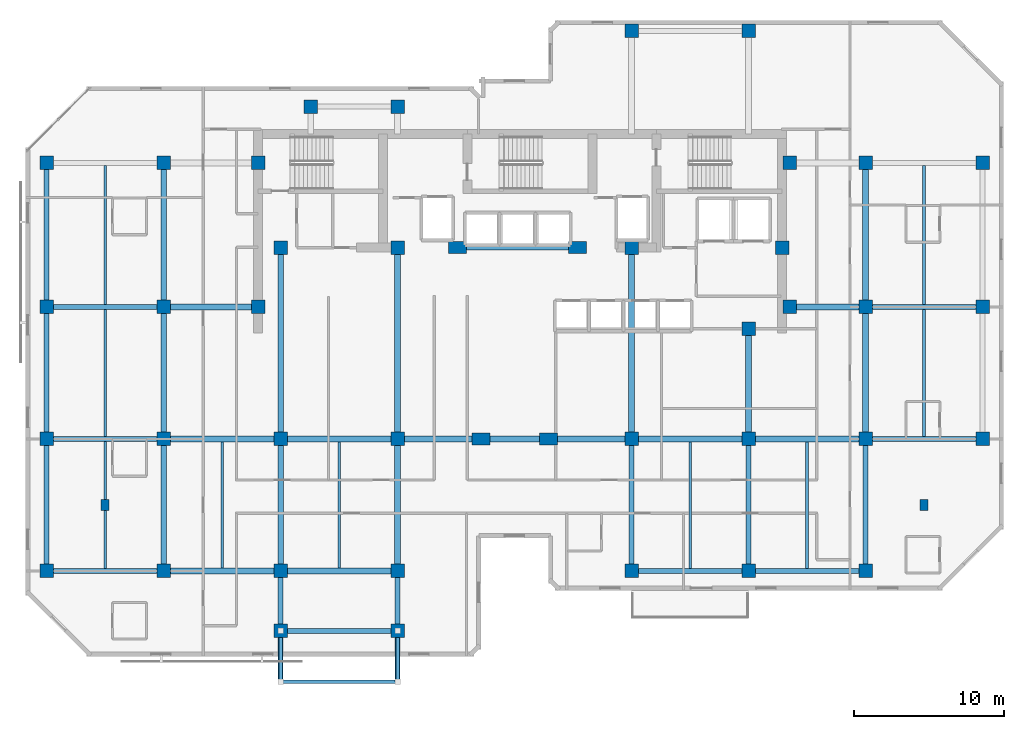
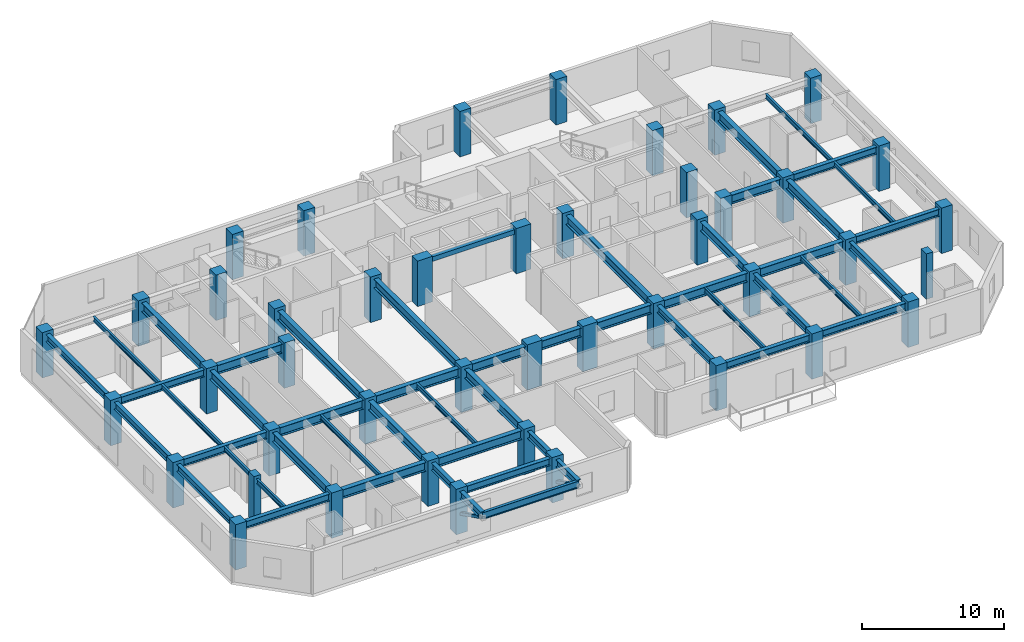
# One storey, part 1 of 10: 51 beams, 44 columns, 2 members.
"""IFC4 building model written with IfcOpenShell, lengths in metres."""

from ifc_helpers import new_model, si_unit, direction, frame, origin, origin_2d, place, context, subcontext, project, spatial, rectangle, hollow_rectangle, i_section, extrude, material, material_profile, profile_set, type_object, element, save


model = new_model("IFC4")

# Units and contexts
model_context = context("Model", 3, precision=1e-05, world=origin(), true_north=direction((0.0, 1.0)))
body_context = subcontext(model_context, "Body", "Model", "MODEL_VIEW")
ifc_project = project(units=[si_unit("LENGTHUNIT", "METRE"), si_unit("AREAUNIT", "SQUARE_METRE"), si_unit("VOLUMEUNIT", "CUBIC_METRE"), si_unit("PLANEANGLEUNIT", "RADIAN"), si_unit("MASSUNIT", "GRAM", prefix="KILO")], contexts=[model_context])

# Site, building, storey
site_placement = place(None, origin())
site = spatial("IfcSite", under=ifc_project, at=site_placement, CompositionType="ELEMENT")
building_placement = place(site_placement, origin())
building = spatial("IfcBuilding", under=site, at=building_placement, Name="Kestravale Grand Hotel", CompositionType="ELEMENT")
storey_placement = place(building_placement, frame((0.0, 0.0, 196.800048828125)))
storey = spatial("IfcBuildingStorey", under=building, at=storey_placement, Name="L49", CompositionType="ELEMENT", Elevation=196.800048828125)

# Columns
ifc_material_1 = material(Name="Concrete f'c 60 MPa", Category="concrete")
ifc_material_profile_1 = material_profile(ifc_material_1, rectangle(XDim=1.199951171875, YDim=0.800048828125, at=origin_2d()))
ifc_profile_set_1 = profile_set([ifc_material_profile_1], Name="Concrete f'c 60 MPa")
column_type_1 = type_object("IfcColumnType", Name="C-Z3-1200X800", PredefinedType="COLUMN", material=ifc_profile_set_1)
for number, where, z_axis, x_axis, name in (
    (1, (36.75, 20.0, 0.0), (0.0, 0.0, 1.0), (1.0, 0.0, 0.0), "L49 column 6-D"),
    (2, (41.25, 20.0, 0.0), (0.0, 0.0, 1.0), (1.0, 0.0, 0.0), "L49 column 7-D"),
    (3, (35.199951171875, 32.75, 0.0), (0.0, 0.0, 1.0), (1.0, 0.0, 0.0), "L49 column 6C-CS"),
    (4, (43.199951171875, 32.75, 0.0), (0.0, 0.0, 1.0), (1.0, 0.0, 0.0), "L49 column 7C-CS"),
):
    element("IfcColumn", number, at=place(storey_placement, frame(where, z_axis=z_axis, x_axis=x_axis)), inside=storey, type_object=column_type_1, Name=name, PredefinedType="COLUMN", context=body_context, shape_type="SweptSolid", body=[
        extrude(rectangle(XDim=1.199951171875, YDim=0.800048828125, at=origin_2d()), origin(), (0.0, 0.0, 1.0), 3.89990234375),
    ])
ifc_material_2 = material(Name="Precast concrete f'c 45 MPa", Category="concrete")
ifc_material_profile_2 = material_profile(ifc_material_2, rectangle(XDim=0.550048828125, YDim=0.75, at=origin_2d()))
ifc_profile_set_2 = profile_set([ifc_material_profile_2], Name="Precast concrete f'c 45 MPa")
column_type_2 = type_object("IfcColumnType", Name="C-Z3-PIL750", PredefinedType="PILASTER", material=ifc_profile_set_2)
for number, where, z_axis, x_axis, name in (
    (5, (11.699951171875, 15.60009765625, 0.0), (0.0, 0.0, 1.0), (1.0, 0.0, 0.0), "L49 Art Deco fluted pilaster P1"),
    (6, (66.300048828125, 15.60009765625, 0.0), (0.0, 0.0, 1.0), (1.0, 0.0, 0.0), "L49 Art Deco fluted pilaster P2"),
):
    element("IfcColumn", number, at=place(storey_placement, frame(where, z_axis=z_axis, x_axis=x_axis)), inside=storey, type_object=column_type_2, Name=name, PredefinedType="PILASTER", context=body_context, shape_type="SweptSolid", body=[
        extrude(rectangle(XDim=0.550048828125, YDim=0.75, at=origin_2d()), origin(), (0.0, 0.0, 1.0), 3.89990234375),
    ])
ifc_material_3 = material(Name="Concrete f'c 50 MPa", Category="concrete")
ifc_material_profile_3 = material_profile(ifc_material_3, rectangle(XDim=0.89990234375, YDim=0.89990234375, at=origin_2d()))
ifc_profile_set_3 = profile_set([ifc_material_profile_3], Name="Concrete f'c 50 MPa")
column_type_3 = type_object("IfcColumnType", Name="C-Z4-900", PredefinedType="COLUMN", material=ifc_profile_set_3)
for number, where, z_axis, x_axis, name in (
    (7, (7.800048828125, 11.199951171875, 0.0), (0.0, 0.0, 1.0), (1.0, 0.0, 0.0), "L49 column 2-C"),
    (8, (7.800048828125, 20.0, 0.0), (0.0, 0.0, 1.0), (1.0, 0.0, 0.0), "L49 column 2-D"),
    (9, (7.800048828125, 28.800048828125, 0.0), (0.0, 0.0, 1.0), (1.0, 0.0, 0.0), "L49 column 2-E"),
    (10, (7.800048828125, 38.39990234375, 0.0), (0.0, 0.0, 1.0), (1.0, 0.0, 0.0), "L49 column 2-F"),
    (11, (15.60009765625, 11.199951171875, 0.0), (0.0, 0.0, 1.0), (1.0, 0.0, 0.0), "L49 column 3-C"),
    (12, (15.60009765625, 20.0, 0.0), (0.0, 0.0, 1.0), (1.0, 0.0, 0.0), "L49 column 3-D"),
    (13, (15.60009765625, 28.800048828125, 0.0), (0.0, 0.0, 1.0), (1.0, 0.0, 0.0), "L49 column 3-E"),
    (14, (15.60009765625, 38.39990234375, 0.0), (0.0, 0.0, 1.0), (1.0, 0.0, 0.0), "L49 column 3-F"),
    (15, (23.39990234375, 11.199951171875, 0.0), (0.0, 0.0, 1.0), (1.0, 0.0, 0.0), "L49 column 4-C"),
    (16, (23.39990234375, 20.0, 0.0), (0.0, 0.0, 1.0), (1.0, 0.0, 0.0), "L49 column 4-D"),
    (17, (31.199951171875, 11.199951171875, 0.0), (0.0, 0.0, 1.0), (1.0, 0.0, 0.0), "L49 column 5-C"),
    (18, (31.199951171875, 20.0, 0.0), (0.0, 0.0, 1.0), (1.0, 0.0, 0.0), "L49 column 5-D"),
    (19, (46.800048828125, 11.199951171875, 0.0), (0.0, 0.0, 1.0), (1.0, 0.0, 0.0), "L49 column 8-C"),
    (20, (46.800048828125, 20.0, 0.0), (0.0, 0.0, 1.0), (1.0, 0.0, 0.0), "L49 column 8-D"),
    (21, (46.800048828125, 47.199951171875, 0.0), (0.0, 0.0, 1.0), (1.0, 0.0, 0.0), "L49 column 8-G"),
    (22, (54.60009765625, 11.199951171875, 0.0), (0.0, 0.0, 1.0), (1.0, 0.0, 0.0), "L49 column 9-C"),
    (23, (54.60009765625, 20.0, 0.0), (0.0, 0.0, 1.0), (1.0, 0.0, 0.0), "L49 column 9-D"),
    (24, (54.60009765625, 47.199951171875, 0.0), (0.0, 0.0, 1.0), (1.0, 0.0, 0.0), "L49 column 9-G"),
    (25, (62.39990234375, 11.199951171875, 0.0), (0.0, 0.0, 1.0), (1.0, 0.0, 0.0), "L49 column 10-C"),
    (26, (62.39990234375, 20.0, 0.0), (0.0, 0.0, 1.0), (1.0, 0.0, 0.0), "L49 column 10-D"),
    (27, (62.39990234375, 28.800048828125, 0.0), (0.0, 0.0, 1.0), (1.0, 0.0, 0.0), "L49 column 10-E"),
    (28, (62.39990234375, 38.39990234375, 0.0), (0.0, 0.0, 1.0), (1.0, 0.0, 0.0), "L49 column 10-F"),
    (29, (70.199951171875, 20.0, 0.0), (0.0, 0.0, 1.0), (1.0, 0.0, 0.0), "L49 column 11-D"),
    (30, (70.199951171875, 28.800048828125, 0.0), (0.0, 0.0, 1.0), (1.0, 0.0, 0.0), "L49 column 11-E"),
    (31, (70.199951171875, 38.39990234375, 0.0), (0.0, 0.0, 1.0), (1.0, 0.0, 0.0), "L49 column 11-F"),
    (32, (21.89990234375, 28.800048828125, 0.0), (0.0, 0.0, 1.0), (1.0, 0.0, 0.0), "L49 column CW-E"),
    (33, (21.89990234375, 38.39990234375, 0.0), (0.0, 0.0, 1.0), (1.0, 0.0, 0.0), "L49 column CW-F"),
    (34, (57.35009765625, 28.800048828125, 0.0), (0.0, 0.0, 1.0), (1.0, 0.0, 0.0), "L49 column CE-E"),
    (35, (57.35009765625, 38.39990234375, 0.0), (0.0, 0.0, 1.0), (1.0, 0.0, 0.0), "L49 column CE-F"),
    (36, (23.39990234375, 32.75, 0.0), (0.0, 0.0, 1.0), (1.0, 0.0, 0.0), "L49 column 4-CS"),
    (37, (31.199951171875, 32.75, 0.0), (0.0, 0.0, 1.0), (1.0, 0.0, 0.0), "L49 column 5-CS"),
    (38, (46.800048828125, 32.75, 0.0), (0.0, 0.0, 1.0), (1.0, 0.0, 0.0), "L49 column 8-CS"),
    (39, (54.60009765625, 27.35009765625, 0.0), (0.0, 0.0, 1.0), (1.0, 0.0, 0.0), "L49 column 9-CS"),
    (40, (56.85009765625, 32.75, 0.0), (0.0, 0.0, 1.0), (1.0, 0.0, 0.0), "L49 column 9C-CS"),
    (41, (23.39990234375, 7.199951171875, 0.0), (0.0, 0.0, 1.0), (1.0, 0.0, 0.0), "L49 column 4-BS"),
    (42, (31.199951171875, 7.199951171875, 0.0), (0.0, 0.0, 1.0), (1.0, 0.0, 0.0), "L49 column 5-BS"),
    (43, (25.39990234375, 42.14990234375, 0.0), (0.0, 0.0, 1.0), (1.0, 0.0, 0.0), "L49 column 4-FN"),
    (44, (31.199951171875, 42.14990234375, 0.0), (0.0, 0.0, 1.0), (1.0, 0.0, 0.0), "L49 column 5-FN"),
):
    element("IfcColumn", number, at=place(storey_placement, frame(where, z_axis=z_axis, x_axis=x_axis)), inside=storey, type_object=column_type_3, Name=name, PredefinedType="COLUMN", context=body_context, shape_type="SweptSolid", body=[
        extrude(rectangle(XDim=0.89990234375, YDim=0.89990234375, at=origin_2d()), origin(), (0.0, 0.0, 1.0), 3.89990234375),
    ])

# Beams
ifc_material_4 = material(Name="Steel ASTM A992 Grade 50", Category="steel")
ifc_material_profile_4 = material_profile(ifc_material_4, i_section(OverallWidth=0.177978515625, OverallDepth=0.404052734375, WebThickness=0.007568359375, FlangeThickness=0.010986328125, FilletRadius=0.01416015625, at=origin_2d()))
ifc_profile_set_4 = profile_set([ifc_material_profile_4], Name="Steel ASTM A992 Grade 50")
beam_type_1 = type_object("IfcBeamType", Name="B-FLR-JST16", PredefinedType="JOIST", material=ifc_profile_set_4)
for number, where, z_axis, x_axis, name in (
    (45, (11.699951171875, 11.362548828125, 3.447998046875), (0.0, 1.0, 0.0), (-1.0, 0.0, 0.0), "L49 floor joist 2-3/C-D #1"),
    (46, (11.699951171875, 20.16259765625, 3.447998046875), (0.0, 1.0, 0.0), (-1.0, 0.0, 0.0), "L49 floor joist 2-3/D-E #1"),
):
    element("IfcBeam", number, at=place(storey_placement, frame(where, z_axis=z_axis, x_axis=x_axis)), inside=storey, type_object=beam_type_1, Name=name, PredefinedType="JOIST", context=body_context, shape_type="SweptSolid", body=[
        extrude(i_section(OverallWidth=0.177978515625, OverallDepth=0.404052734375, WebThickness=0.007568359375, FlangeThickness=0.010986328125, FilletRadius=0.01416015625, at=origin_2d()), origin(), (0.0, 0.0, 1.0), 8.474853515625),
    ])
beam_1_placement = place(storey_placement, frame((11.699951171875, 28.96240234375, 3.447998046875), z_axis=(0.0, 1.0, 0.0), x_axis=(-1.0, 0.0, 0.0)))
element("IfcBeam", 47, at=beam_1_placement, inside=storey, type_object=beam_type_1, Name="L49 floor joist 2-3/E-F #1", PredefinedType="JOIST", context=body_context, shape_type="SweptSolid", body=[
    extrude(i_section(OverallWidth=0.177978515625, OverallDepth=0.404052734375, WebThickness=0.007568359375, FlangeThickness=0.010986328125, FilletRadius=0.01416015625, at=origin_2d()), origin(), (0.0, 0.0, 1.0), 9.275146484375),
])
for number, where, z_axis, x_axis, name in (
    (48, (19.5, 11.390380859375, 3.447998046875), (0.0, 1.0, 0.0), (-1.0, 0.0, 0.0), "L49 floor joist 3-4/C-D #1"),
    (49, (27.300048828125, 11.390380859375, 3.447998046875), (0.0, 1.0, 0.0), (-1.0, 0.0, 0.0), "L49 floor joist 4-5/C-D #1"),
):
    element("IfcBeam", number, at=place(storey_placement, frame(where, z_axis=z_axis, x_axis=x_axis)), inside=storey, type_object=beam_type_1, Name=name, PredefinedType="JOIST", context=body_context, shape_type="SweptSolid", body=[
        extrude(i_section(OverallWidth=0.177978515625, OverallDepth=0.404052734375, WebThickness=0.007568359375, FlangeThickness=0.010986328125, FilletRadius=0.01416015625, at=origin_2d()), origin(), (0.0, 0.0, 1.0), 8.419189453125),
    ])
for number, where, z_axis, x_axis, name in (
    (50, (50.699951171875, 11.362548828125, 3.447998046875), (0.0, 1.0, 0.0), (-1.0, 0.0, 0.0), "L49 floor joist 8-9/C-D #1"),
    (51, (58.5, 11.362548828125, 3.447998046875), (0.0, 1.0, 0.0), (-1.0, 0.0, 0.0), "L49 floor joist 9-10/C-D #1"),
):
    element("IfcBeam", number, at=place(storey_placement, frame(where, z_axis=z_axis, x_axis=x_axis)), inside=storey, type_object=beam_type_1, Name=name, PredefinedType="JOIST", context=body_context, shape_type="SweptSolid", body=[
        extrude(i_section(OverallWidth=0.177978515625, OverallDepth=0.404052734375, WebThickness=0.007568359375, FlangeThickness=0.010986328125, FilletRadius=0.01416015625, at=origin_2d()), origin(), (0.0, 0.0, 1.0), 8.447021484375),
    ])
beam_2_placement = place(storey_placement, frame((66.300048828125, 20.16259765625, 3.447998046875), z_axis=(0.0, 1.0, 0.0), x_axis=(-1.0, 0.0, 0.0)))
element("IfcBeam", 52, at=beam_2_placement, inside=storey, type_object=beam_type_1, Name="L49 floor joist 10-11/D-E #1", PredefinedType="JOIST", context=body_context, shape_type="SweptSolid", body=[
    extrude(i_section(OverallWidth=0.177978515625, OverallDepth=0.404052734375, WebThickness=0.007568359375, FlangeThickness=0.010986328125, FilletRadius=0.01416015625, at=origin_2d()), origin(), (0.0, 0.0, 1.0), 8.474853515625),
])
beam_3_placement = place(storey_placement, frame((66.300048828125, 28.96240234375, 3.447998046875), z_axis=(0.0, 1.0, 0.0), x_axis=(-1.0, 0.0, 0.0)))
element("IfcBeam", 53, at=beam_3_placement, inside=storey, type_object=beam_type_1, Name="L49 floor joist 10-11/E-F #1", PredefinedType="JOIST", context=body_context, shape_type="SweptSolid", body=[
    extrude(i_section(OverallWidth=0.177978515625, OverallDepth=0.404052734375, WebThickness=0.007568359375, FlangeThickness=0.010986328125, FilletRadius=0.01416015625, at=origin_2d()), origin(), (0.0, 0.0, 1.0), 9.275146484375),
])
ifc_material_5 = material(Name="Concrete f'c 45 MPa", Category="concrete")
ifc_material_profile_5 = material_profile(ifc_material_5, rectangle(XDim=0.300048828125, YDim=0.39990234375, at=origin_2d()))
ifc_profile_set_5 = profile_set([ifc_material_profile_5], Name="Concrete f'c 45 MPa")
beam_type_2 = type_object("IfcBeamType", Name="B-FLR-LNT400", PredefinedType="LINTEL", material=ifc_profile_set_5)
beam_4_placement = place(storey_placement, frame((35.199951171875, 32.75, 3.449951171875), z_axis=(1.0, 0.0, 0.0), x_axis=(0.0, 1.0, 0.0)))
element("IfcBeam", 54, at=beam_4_placement, inside=storey, type_object=beam_type_2, Name="L49 core portal header lintel", PredefinedType="LINTEL", context=body_context, shape_type="SweptSolid", body=[
    extrude(rectangle(XDim=0.300048828125, YDim=0.39990234375, at=origin_2d()), origin(), (0.0, 0.0, 1.0), 8.0),
])
ifc_material_6 = material(Name="Steel ASTM A992 Grade 50", Category="steel")
ifc_material_profile_6 = material_profile(ifc_material_6, i_section(OverallWidth=0.324951171875, OverallDepth=0.612060546875, WebThickness=0.0126953125, FlangeThickness=0.01904296875, FilletRadius=0.018798828125, at=origin_2d()))
ifc_profile_set_6 = profile_set([ifc_material_profile_6], Name="Steel ASTM A992 Grade 50")
beam_type_3 = type_object("IfcBeamType", Name="B-FLR-W24A", PredefinedType="SPANDREL", material=ifc_profile_set_6)
for number, where, z_axis, x_axis, name in (
    (55, (7.800048828125, 11.199951171875, 3.343994140625), (1.0, 0.0, 0.0), (0.0, 1.0, 0.0), "L49 spandrel C:2-3"),
    (56, (46.800048828125, 11.199951171875, 3.343994140625), (1.0, 0.0, 0.0), (0.0, 1.0, 0.0), "L49 spandrel C:8-9"),
):
    element("IfcBeam", number, at=place(storey_placement, frame(where, z_axis=z_axis, x_axis=x_axis)), inside=storey, type_object=beam_type_3, Name=name, PredefinedType="SPANDREL", context=body_context, shape_type="SweptSolid", body=[
        extrude(i_section(OverallWidth=0.324951171875, OverallDepth=0.612060546875, WebThickness=0.0126953125, FlangeThickness=0.01904296875, FilletRadius=0.018798828125, at=origin_2d()), origin(), (0.0, 0.0, 1.0), 7.800048828125),
    ])
beam_5_placement = place(storey_placement, frame((54.60009765625, 11.199951171875, 3.343994140625), z_axis=(1.0, 0.0, 0.0), x_axis=(0.0, 1.0, 0.0)))
element("IfcBeam", 57, at=beam_5_placement, inside=storey, type_object=beam_type_3, Name="L49 spandrel C:9-10", PredefinedType="SPANDREL", context=body_context, shape_type="SweptSolid", body=[
    extrude(i_section(OverallWidth=0.324951171875, OverallDepth=0.612060546875, WebThickness=0.0126953125, FlangeThickness=0.01904296875, FilletRadius=0.018798828125, at=origin_2d()), origin(), (0.0, 0.0, 1.0), 7.7998046875),
])
for number, where, z_axis, x_axis, name in (
    (58, (7.800048828125, 20.0, 3.343994140625), (1.0, 0.0, 0.0), (0.0, 1.0, 0.0), "L49 spandrel D:2-3"),
    (59, (62.39990234375, 20.0, 3.343994140625), (1.0, 0.0, 0.0), (0.0, 1.0, 0.0), "L49 spandrel D:10-11"),
    (60, (7.800048828125, 28.800048828125, 3.343994140625), (1.0, 0.0, 0.0), (0.0, 1.0, 0.0), "L49 spandrel E:2-3"),
    (61, (62.39990234375, 28.800048828125, 3.343994140625), (1.0, 0.0, 0.0), (0.0, 1.0, 0.0), "L49 spandrel E:10-11"),
    (62, (23.39990234375, 7.199951171875, 3.343994140625), (1.0, 0.0, 0.0), (0.0, 1.0, 0.0), "L49 perimeter tie spandrel BS:4-5"),
):
    element("IfcBeam", number, at=place(storey_placement, frame(where, z_axis=z_axis, x_axis=x_axis)), inside=storey, type_object=beam_type_3, Name=name, PredefinedType="SPANDREL", context=body_context, shape_type="SweptSolid", body=[
        extrude(i_section(OverallWidth=0.324951171875, OverallDepth=0.612060546875, WebThickness=0.0126953125, FlangeThickness=0.01904296875, FilletRadius=0.018798828125, at=origin_2d()), origin(), (0.0, 0.0, 1.0), 7.800048828125),
    ])
for number, where, z_axis, x_axis, name in (
    (63, (7.800048828125, 11.199951171875, 3.343994140625), (0.0, 1.0, 0.0), (-1.0, 0.0, 0.0), "L49 spandrel 2:C-D"),
    (64, (7.800048828125, 20.0, 3.343994140625), (0.0, 1.0, 0.0), (-1.0, 0.0, 0.0), "L49 spandrel 2:D-E"),
):
    element("IfcBeam", number, at=place(storey_placement, frame(where, z_axis=z_axis, x_axis=x_axis)), inside=storey, type_object=beam_type_3, Name=name, PredefinedType="SPANDREL", context=body_context, shape_type="SweptSolid", body=[
        extrude(i_section(OverallWidth=0.324951171875, OverallDepth=0.612060546875, WebThickness=0.0126953125, FlangeThickness=0.01904296875, FilletRadius=0.018798828125, at=origin_2d()), origin(), (0.0, 0.0, 1.0), 8.800048828125),
    ])
beam_6_placement = place(storey_placement, frame((7.800048828125, 28.800048828125, 3.343994140625), z_axis=(0.0, 1.0, 0.0), x_axis=(-1.0, 0.0, 0.0)))
element("IfcBeam", 65, at=beam_6_placement, inside=storey, type_object=beam_type_3, Name="L49 spandrel 2:E-F", PredefinedType="SPANDREL", context=body_context, shape_type="SweptSolid", body=[
    extrude(i_section(OverallWidth=0.324951171875, OverallDepth=0.612060546875, WebThickness=0.0126953125, FlangeThickness=0.01904296875, FilletRadius=0.018798828125, at=origin_2d()), origin(), (0.0, 0.0, 1.0), 9.599853515625),
])
for number, where, z_axis, x_axis, name in (
    (66, (23.39990234375, 7.199951171875, 3.343994140625), (0.0, 1.0, 0.0), (-1.0, 0.0, 0.0), "L49 spandrel 4:BS-C"),
    (67, (31.199951171875, 7.199951171875, 3.343994140625), (0.0, 1.0, 0.0), (-1.0, 0.0, 0.0), "L49 spandrel 5:BS-C"),
):
    element("IfcBeam", number, at=place(storey_placement, frame(where, z_axis=z_axis, x_axis=x_axis)), inside=storey, type_object=beam_type_3, Name=name, PredefinedType="SPANDREL", context=body_context, shape_type="SweptSolid", body=[
        extrude(i_section(OverallWidth=0.324951171875, OverallDepth=0.612060546875, WebThickness=0.0126953125, FlangeThickness=0.01904296875, FilletRadius=0.018798828125, at=origin_2d()), origin(), (0.0, 0.0, 1.0), 4.0),
    ])
for number, where, z_axis, x_axis, name in (
    (68, (46.800048828125, 11.199951171875, 3.343994140625), (0.0, 1.0, 0.0), (-1.0, 0.0, 0.0), "L49 spandrel 8:C-D"),
    (69, (54.60009765625, 11.199951171875, 3.343994140625), (0.0, 1.0, 0.0), (-1.0, 0.0, 0.0), "L49 spandrel 9:C-D"),
    (70, (62.39990234375, 11.199951171875, 3.343994140625), (0.0, 1.0, 0.0), (-1.0, 0.0, 0.0), "L49 spandrel 10:C-D"),
):
    element("IfcBeam", number, at=place(storey_placement, frame(where, z_axis=z_axis, x_axis=x_axis)), inside=storey, type_object=beam_type_3, Name=name, PredefinedType="SPANDREL", context=body_context, shape_type="SweptSolid", body=[
        extrude(i_section(OverallWidth=0.324951171875, OverallDepth=0.612060546875, WebThickness=0.0126953125, FlangeThickness=0.01904296875, FilletRadius=0.018798828125, at=origin_2d()), origin(), (0.0, 0.0, 1.0), 8.800048828125),
    ])
for number, where, z_axis, x_axis, name in (
    (71, (23.39990234375, 7.199951171875, 3.323974609375), (0.0, -1.0, 0.0), (1.0, 0.0, 0.0), "L50 terrace cantilever beam 1"),
    (72, (31.199951171875, 7.199951171875, 3.323974609375), (0.0, -1.0, 0.0), (1.0, 0.0, 0.0), "L50 terrace cantilever beam 2"),
):
    element("IfcBeam", number, at=place(storey_placement, frame(where, z_axis=z_axis, x_axis=x_axis)), inside=storey, type_object=beam_type_3, Name=name, PredefinedType="SPANDREL", context=body_context, shape_type="SweptSolid", body=[
        extrude(i_section(OverallWidth=0.324951171875, OverallDepth=0.612060546875, WebThickness=0.0126953125, FlangeThickness=0.01904296875, FilletRadius=0.018798828125, at=origin_2d()), origin(), (0.0, 0.0, 1.0), 3.39990234375),
    ])
ifc_material_7 = material(Name="Steel ASTM A992 Grade 50", Category="steel")
ifc_material_profile_7 = material_profile(ifc_material_7, i_section(OverallWidth=0.22900390625, OverallDepth=0.612060546875, WebThickness=0.011962890625, FlangeThickness=0.01953125, FilletRadius=0.019287109375, at=origin_2d()))
ifc_profile_set_7 = profile_set([ifc_material_profile_7], Name="Steel ASTM A992 Grade 50")
beam_type_4 = type_object("IfcBeamType", Name="B-FLR-W24B", PredefinedType="SPANDREL", material=ifc_profile_set_7)
beam_7_placement = place(storey_placement, frame((23.39990234375, 3.800048828125, 3.323974609375), z_axis=(1.0, 0.0, 0.0), x_axis=(0.0, 1.0, 0.0)))
element("IfcBeam", 73, at=beam_7_placement, inside=storey, type_object=beam_type_4, Name="L50 terrace edge spandrel", PredefinedType="SPANDREL", context=body_context, shape_type="SweptSolid", body=[
    extrude(i_section(OverallWidth=0.22900390625, OverallDepth=0.612060546875, WebThickness=0.011962890625, FlangeThickness=0.01953125, FilletRadius=0.019287109375, at=origin_2d()), origin(), (0.0, 0.0, 1.0), 7.800048828125),
])
ifc_material_8 = material(Name="Steel ASTM A992 Grade 50", Category="steel")
ifc_material_profile_8 = material_profile(ifc_material_8, i_section(OverallWidth=0.381103515625, OverallDepth=0.77197265625, WebThickness=0.0166015625, FlangeThickness=0.027099609375, FilletRadius=0.023681640625, at=origin_2d()))
ifc_profile_set_8 = profile_set([ifc_material_profile_8], Name="Steel ASTM A992 Grade 50")
beam_type_5 = type_object("IfcBeamType", Name="B-GRD-W30", PredefinedType="BEAM", material=ifc_profile_set_8)
beam_8_placement = place(storey_placement, frame((15.60009765625, 11.199951171875, 3.263916015625), z_axis=(1.0, 0.0, 0.0), x_axis=(0.0, 1.0, 0.0)))
element("IfcBeam", 74, at=beam_8_placement, inside=storey, type_object=beam_type_5, Name="L49 girder C:3-4", PredefinedType="BEAM", context=body_context, shape_type="SweptSolid", body=[
    extrude(i_section(OverallWidth=0.381103515625, OverallDepth=0.77197265625, WebThickness=0.0166015625, FlangeThickness=0.027099609375, FilletRadius=0.023681640625, at=origin_2d()), origin(), (0.0, 0.0, 1.0), 7.7998046875),
])
beam_9_placement = place(storey_placement, frame((23.39990234375, 11.199951171875, 3.263916015625), z_axis=(1.0, 0.0, 0.0), x_axis=(0.0, 1.0, 0.0)))
element("IfcBeam", 75, at=beam_9_placement, inside=storey, type_object=beam_type_5, Name="L49 girder C:4-5", PredefinedType="BEAM", context=body_context, shape_type="SweptSolid", body=[
    extrude(i_section(OverallWidth=0.381103515625, OverallDepth=0.77197265625, WebThickness=0.0166015625, FlangeThickness=0.027099609375, FilletRadius=0.023681640625, at=origin_2d()), origin(), (0.0, 0.0, 1.0), 7.800048828125),
])
beam_10_placement = place(storey_placement, frame((15.60009765625, 20.0, 3.263916015625), z_axis=(1.0, 0.0, 0.0), x_axis=(0.0, 1.0, 0.0)))
element("IfcBeam", 76, at=beam_10_placement, inside=storey, type_object=beam_type_5, Name="L49 girder D:3-4", PredefinedType="BEAM", context=body_context, shape_type="SweptSolid", body=[
    extrude(i_section(OverallWidth=0.381103515625, OverallDepth=0.77197265625, WebThickness=0.0166015625, FlangeThickness=0.027099609375, FilletRadius=0.023681640625, at=origin_2d()), origin(), (0.0, 0.0, 1.0), 7.7998046875),
])
beam_11_placement = place(storey_placement, frame((23.39990234375, 20.0, 3.263916015625), z_axis=(1.0, 0.0, 0.0), x_axis=(0.0, 1.0, 0.0)))
element("IfcBeam", 77, at=beam_11_placement, inside=storey, type_object=beam_type_5, Name="L49 girder D:4-5", PredefinedType="BEAM", context=body_context, shape_type="SweptSolid", body=[
    extrude(i_section(OverallWidth=0.381103515625, OverallDepth=0.77197265625, WebThickness=0.0166015625, FlangeThickness=0.027099609375, FilletRadius=0.023681640625, at=origin_2d()), origin(), (0.0, 0.0, 1.0), 7.800048828125),
])
beam_12_placement = place(storey_placement, frame((31.199951171875, 20.0, 3.263916015625), z_axis=(1.0, 0.0, 0.0), x_axis=(0.0, 1.0, 0.0)))
element("IfcBeam", 78, at=beam_12_placement, inside=storey, type_object=beam_type_5, Name="L49 girder D:5-6", PredefinedType="BEAM", context=body_context, shape_type="SweptSolid", body=[
    extrude(i_section(OverallWidth=0.381103515625, OverallDepth=0.77197265625, WebThickness=0.0166015625, FlangeThickness=0.027099609375, FilletRadius=0.023681640625, at=origin_2d()), origin(), (0.0, 0.0, 1.0), 5.550048828125),
])
beam_13_placement = place(storey_placement, frame((36.75, 20.0, 3.263916015625), z_axis=(1.0, 0.0, 0.0), x_axis=(0.0, 1.0, 0.0)))
element("IfcBeam", 79, at=beam_13_placement, inside=storey, type_object=beam_type_5, Name="L49 girder D:6-7", PredefinedType="BEAM", context=body_context, shape_type="SweptSolid", body=[
    extrude(i_section(OverallWidth=0.381103515625, OverallDepth=0.77197265625, WebThickness=0.0166015625, FlangeThickness=0.027099609375, FilletRadius=0.023681640625, at=origin_2d()), origin(), (0.0, 0.0, 1.0), 4.5),
])
beam_14_placement = place(storey_placement, frame((41.25, 20.0, 3.263916015625), z_axis=(1.0, 0.0, 0.0), x_axis=(0.0, 1.0, 0.0)))
element("IfcBeam", 80, at=beam_14_placement, inside=storey, type_object=beam_type_5, Name="L49 girder D:7-8", PredefinedType="BEAM", context=body_context, shape_type="SweptSolid", body=[
    extrude(i_section(OverallWidth=0.381103515625, OverallDepth=0.77197265625, WebThickness=0.0166015625, FlangeThickness=0.027099609375, FilletRadius=0.023681640625, at=origin_2d()), origin(), (0.0, 0.0, 1.0), 5.550048828125),
])
beam_15_placement = place(storey_placement, frame((46.800048828125, 20.0, 3.263916015625), z_axis=(1.0, 0.0, 0.0), x_axis=(0.0, 1.0, 0.0)))
element("IfcBeam", 81, at=beam_15_placement, inside=storey, type_object=beam_type_5, Name="L49 girder D:8-9", PredefinedType="BEAM", context=body_context, shape_type="SweptSolid", body=[
    extrude(i_section(OverallWidth=0.381103515625, OverallDepth=0.77197265625, WebThickness=0.0166015625, FlangeThickness=0.027099609375, FilletRadius=0.023681640625, at=origin_2d()), origin(), (0.0, 0.0, 1.0), 7.800048828125),
])
beam_16_placement = place(storey_placement, frame((54.60009765625, 20.0, 3.263916015625), z_axis=(1.0, 0.0, 0.0), x_axis=(0.0, 1.0, 0.0)))
element("IfcBeam", 82, at=beam_16_placement, inside=storey, type_object=beam_type_5, Name="L49 girder D:9-10", PredefinedType="BEAM", context=body_context, shape_type="SweptSolid", body=[
    extrude(i_section(OverallWidth=0.381103515625, OverallDepth=0.77197265625, WebThickness=0.0166015625, FlangeThickness=0.027099609375, FilletRadius=0.023681640625, at=origin_2d()), origin(), (0.0, 0.0, 1.0), 7.7998046875),
])
beam_17_placement = place(storey_placement, frame((15.60009765625, 28.800048828125, 3.263916015625), z_axis=(1.0, 0.0, 0.0), x_axis=(0.0, 1.0, 0.0)))
element("IfcBeam", 83, at=beam_17_placement, inside=storey, type_object=beam_type_5, Name="L49 girder E:3-CW", PredefinedType="BEAM", context=body_context, shape_type="SweptSolid", body=[
    extrude(i_section(OverallWidth=0.381103515625, OverallDepth=0.77197265625, WebThickness=0.0166015625, FlangeThickness=0.027099609375, FilletRadius=0.023681640625, at=origin_2d()), origin(), (0.0, 0.0, 1.0), 6.2998046875),
])
beam_18_placement = place(storey_placement, frame((57.35009765625, 28.800048828125, 3.263916015625), z_axis=(1.0, 0.0, 0.0), x_axis=(0.0, 1.0, 0.0)))
element("IfcBeam", 84, at=beam_18_placement, inside=storey, type_object=beam_type_5, Name="L49 girder E:CE-10", PredefinedType="BEAM", context=body_context, shape_type="SweptSolid", body=[
    extrude(i_section(OverallWidth=0.381103515625, OverallDepth=0.77197265625, WebThickness=0.0166015625, FlangeThickness=0.027099609375, FilletRadius=0.023681640625, at=origin_2d()), origin(), (0.0, 0.0, 1.0), 5.0498046875),
])
for number, where, z_axis, x_axis, name in (
    (85, (15.60009765625, 11.199951171875, 3.263916015625), (0.0, 1.0, 0.0), (-1.0, 0.0, 0.0), "L49 girder 3:C-D"),
    (86, (15.60009765625, 20.0, 3.263916015625), (0.0, 1.0, 0.0), (-1.0, 0.0, 0.0), "L49 girder 3:D-E"),
):
    element("IfcBeam", number, at=place(storey_placement, frame(where, z_axis=z_axis, x_axis=x_axis)), inside=storey, type_object=beam_type_5, Name=name, PredefinedType="BEAM", context=body_context, shape_type="SweptSolid", body=[
        extrude(i_section(OverallWidth=0.381103515625, OverallDepth=0.77197265625, WebThickness=0.0166015625, FlangeThickness=0.027099609375, FilletRadius=0.023681640625, at=origin_2d()), origin(), (0.0, 0.0, 1.0), 8.800048828125),
    ])
beam_19_placement = place(storey_placement, frame((15.60009765625, 28.800048828125, 3.263916015625), z_axis=(0.0, 1.0, 0.0), x_axis=(-1.0, 0.0, 0.0)))
element("IfcBeam", 87, at=beam_19_placement, inside=storey, type_object=beam_type_5, Name="L49 girder 3:E-F", PredefinedType="BEAM", context=body_context, shape_type="SweptSolid", body=[
    extrude(i_section(OverallWidth=0.381103515625, OverallDepth=0.77197265625, WebThickness=0.0166015625, FlangeThickness=0.027099609375, FilletRadius=0.023681640625, at=origin_2d()), origin(), (0.0, 0.0, 1.0), 9.599853515625),
])
beam_20_placement = place(storey_placement, frame((23.39990234375, 11.199951171875, 3.263916015625), z_axis=(0.0, 1.0, 0.0), x_axis=(-1.0, 0.0, 0.0)))
element("IfcBeam", 88, at=beam_20_placement, inside=storey, type_object=beam_type_5, Name="L49 girder 4:C-D", PredefinedType="BEAM", context=body_context, shape_type="SweptSolid", body=[
    extrude(i_section(OverallWidth=0.381103515625, OverallDepth=0.77197265625, WebThickness=0.0166015625, FlangeThickness=0.027099609375, FilletRadius=0.023681640625, at=origin_2d()), origin(), (0.0, 0.0, 1.0), 8.800048828125),
])
beam_21_placement = place(storey_placement, frame((23.39990234375, 20.0, 3.263916015625), z_axis=(0.0, 1.0, 0.0), x_axis=(-1.0, 0.0, 0.0)))
element("IfcBeam", 89, at=beam_21_placement, inside=storey, type_object=beam_type_5, Name="L49 girder 4:D-CS", PredefinedType="BEAM", context=body_context, shape_type="SweptSolid", body=[
    extrude(i_section(OverallWidth=0.381103515625, OverallDepth=0.77197265625, WebThickness=0.0166015625, FlangeThickness=0.027099609375, FilletRadius=0.023681640625, at=origin_2d()), origin(), (0.0, 0.0, 1.0), 12.75),
])
beam_22_placement = place(storey_placement, frame((31.199951171875, 11.199951171875, 3.263916015625), z_axis=(0.0, 1.0, 0.0), x_axis=(-1.0, 0.0, 0.0)))
element("IfcBeam", 90, at=beam_22_placement, inside=storey, type_object=beam_type_5, Name="L49 girder 5:C-D", PredefinedType="BEAM", context=body_context, shape_type="SweptSolid", body=[
    extrude(i_section(OverallWidth=0.381103515625, OverallDepth=0.77197265625, WebThickness=0.0166015625, FlangeThickness=0.027099609375, FilletRadius=0.023681640625, at=origin_2d()), origin(), (0.0, 0.0, 1.0), 8.800048828125),
])
for number, where, z_axis, x_axis, name in (
    (91, (31.199951171875, 20.0, 3.263916015625), (0.0, 1.0, 0.0), (-1.0, 0.0, 0.0), "L49 girder 5:D-CS"),
    (92, (46.800048828125, 20.0, 3.263916015625), (0.0, 1.0, 0.0), (-1.0, 0.0, 0.0), "L49 girder 8:D-CS"),
):
    element("IfcBeam", number, at=place(storey_placement, frame(where, z_axis=z_axis, x_axis=x_axis)), inside=storey, type_object=beam_type_5, Name=name, PredefinedType="BEAM", context=body_context, shape_type="SweptSolid", body=[
        extrude(i_section(OverallWidth=0.381103515625, OverallDepth=0.77197265625, WebThickness=0.0166015625, FlangeThickness=0.027099609375, FilletRadius=0.023681640625, at=origin_2d()), origin(), (0.0, 0.0, 1.0), 12.75),
    ])
beam_23_placement = place(storey_placement, frame((54.60009765625, 20.0, 3.263916015625), z_axis=(0.0, 1.0, 0.0), x_axis=(-1.0, 0.0, 0.0)))
element("IfcBeam", 93, at=beam_23_placement, inside=storey, type_object=beam_type_5, Name="L49 girder 9:D-CS", PredefinedType="BEAM", context=body_context, shape_type="SweptSolid", body=[
    extrude(i_section(OverallWidth=0.381103515625, OverallDepth=0.77197265625, WebThickness=0.0166015625, FlangeThickness=0.027099609375, FilletRadius=0.023681640625, at=origin_2d()), origin(), (0.0, 0.0, 1.0), 7.35009765625),
])
beam_24_placement = place(storey_placement, frame((62.39990234375, 20.0, 3.263916015625), z_axis=(0.0, 1.0, 0.0), x_axis=(-1.0, 0.0, 0.0)))
element("IfcBeam", 94, at=beam_24_placement, inside=storey, type_object=beam_type_5, Name="L49 girder 10:D-E", PredefinedType="BEAM", context=body_context, shape_type="SweptSolid", body=[
    extrude(i_section(OverallWidth=0.381103515625, OverallDepth=0.77197265625, WebThickness=0.0166015625, FlangeThickness=0.027099609375, FilletRadius=0.023681640625, at=origin_2d()), origin(), (0.0, 0.0, 1.0), 8.800048828125),
])
beam_25_placement = place(storey_placement, frame((62.39990234375, 28.800048828125, 3.263916015625), z_axis=(0.0, 1.0, 0.0), x_axis=(-1.0, 0.0, 0.0)))
element("IfcBeam", 95, at=beam_25_placement, inside=storey, type_object=beam_type_5, Name="L49 girder 10:E-F", PredefinedType="BEAM", context=body_context, shape_type="SweptSolid", body=[
    extrude(i_section(OverallWidth=0.381103515625, OverallDepth=0.77197265625, WebThickness=0.0166015625, FlangeThickness=0.027099609375, FilletRadius=0.023681640625, at=origin_2d()), origin(), (0.0, 0.0, 1.0), 9.599853515625),
])

# Members
ifc_material_9 = material(Name="Steel ASTM A500 Grade C", Category="steel")
ifc_material_profile_9 = material_profile(ifc_material_9, hollow_rectangle(XDim=0.25, YDim=0.25, WallThickness=0.011962890625, InnerFilletRadius=0.011962890625, OuterFilletRadius=0.02392578125, at=origin_2d()))
ifc_profile_set_9 = profile_set([ifc_material_profile_9], Name="Steel ASTM A500 Grade C")
member_type = type_object("IfcMemberType", Name="M-BLT-STR250", PredefinedType="STRUT", material=ifc_profile_set_9)
for number, where, z_axis, x_axis, name in (
    (96, (23.39990234375, 7.199951171875, 1.473876953125), (0.0, -0.894401499405, 0.447264975), (1.0, 0.0, 0.0), "L50 terrace knee-brace strut 1"),
    (97, (31.199951171875, 7.199951171875, 1.473876953125), (0.0, -0.894401499405, 0.447264975), (1.0, 0.0, 0.0), "L50 terrace knee-brace strut 2"),
):
    element("IfcMember", number, at=place(storey_placement, frame(where, z_axis=z_axis, x_axis=x_axis)), inside=storey, type_object=member_type, Name=name, PredefinedType="STRUT", context=body_context, shape_type="SweptSolid", body=[
        extrude(hollow_rectangle(XDim=0.25, YDim=0.25, WallThickness=0.011962890625, InnerFilletRadius=0.011962890625, OuterFilletRadius=0.02392578125, at=origin_2d()), origin(), (0.0, 0.0, 1.0), 3.80126953125),
    ])

save(model, "model.ifc")
